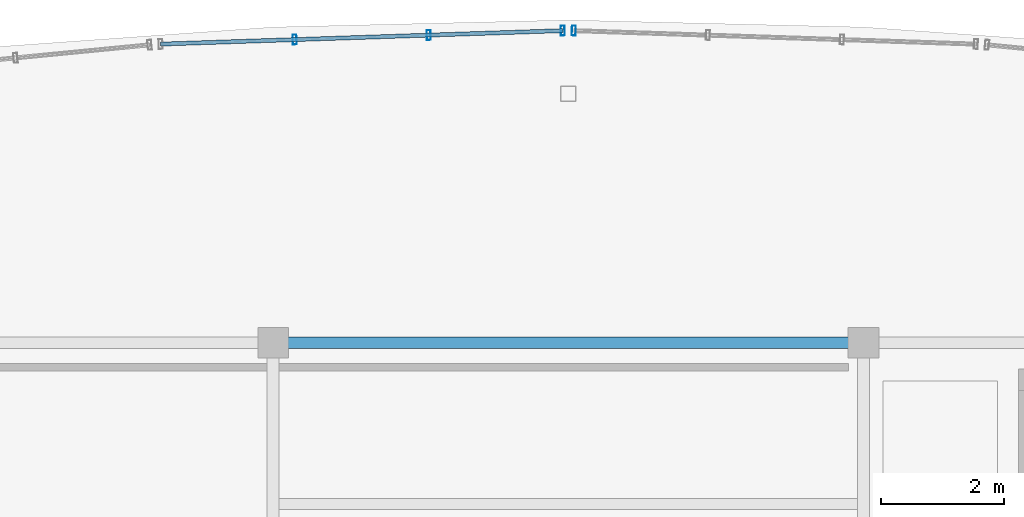
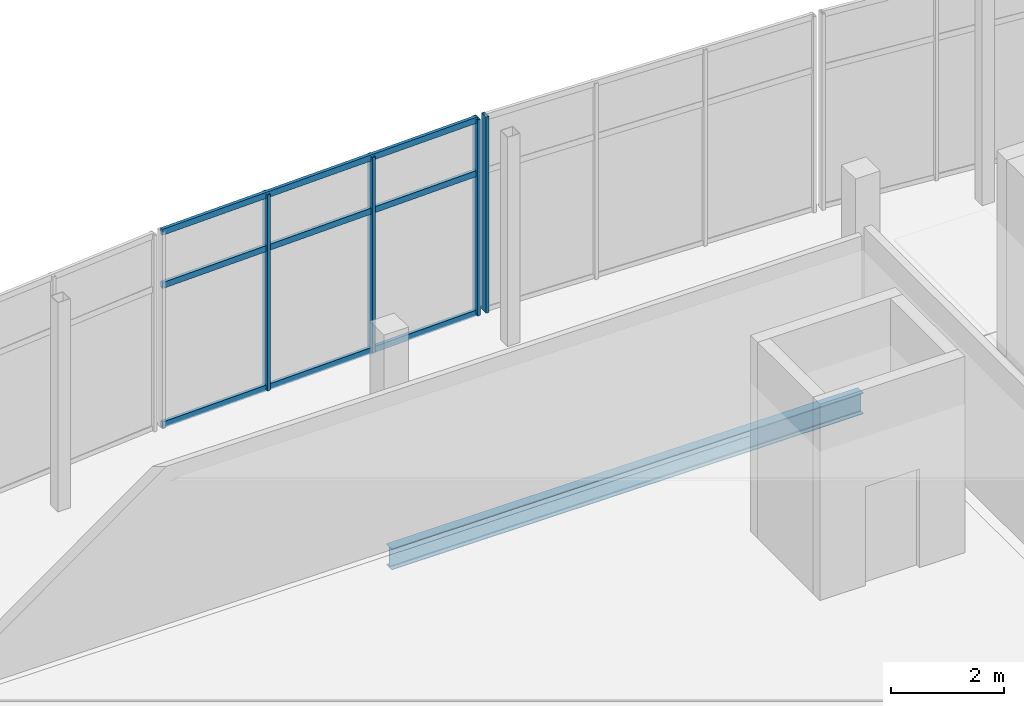
# One storey, part 71 of 114: 7 members, 1 beam, 2 elements without a shape of their own.
"""IFC4 building model written with IfcOpenShell, lengths in metres."""

from ifc_helpers import new_model, si_unit, direction, frame, origin, origin_2d, place, context, subcontext, project, spatial, hollow_rectangle, i_section, extrude, material, layer, layer_set, material_profile, profile_set, type_object, element, aggregate, save


model = new_model("IFC4")

# Units and contexts
model_context = context("Model", 3, precision=1e-05, world=origin(), true_north=direction((0.0, 1.0)))
body_context = subcontext(model_context, "Body", "Model", "MODEL_VIEW")
ifc_project = project(units=[si_unit("LENGTHUNIT", "METRE"), si_unit("AREAUNIT", "SQUARE_METRE"), si_unit("VOLUMEUNIT", "CUBIC_METRE"), si_unit("PLANEANGLEUNIT", "RADIAN"), si_unit("MASSUNIT", "GRAM", prefix="KILO")], contexts=[model_context])

# Site, building, storey
site_placement = place(None, origin())
site = spatial("IfcSite", under=ifc_project, at=site_placement, CompositionType="ELEMENT")
building_placement = place(site_placement, origin())
building = spatial("IfcBuilding", under=site, at=building_placement, Name="Chalmorin Arch Market", CompositionType="ELEMENT")
storey_placement = place(building_placement, frame((0.0, 0.0, 9.60009765625)))
storey = spatial("IfcBuildingStorey", under=building, at=storey_placement, Name="L02", CompositionType="ELEMENT", Elevation=9.60009765625)

# Curtain wall, members
ifc_material_1 = material(Name="Aluminium 6063-T6", Category="aluminium")
ifc_layer = layer(ifc_material_1, 0.159912109375)
ifc_layer_set = layer_set([ifc_layer], Name="Aluminium 6063-T6")
curtain_wall_type = type_object("IfcCurtainWallType", Name="CulinaryStudioCurtainWall-CW3-6540x4220", PredefinedType="NOTDEFINED", material=ifc_layer_set)
curtain_wall_1_placement = place(storey_placement, origin())
curtain_wall_1 = element("IfcCurtainWall", 1, at=curtain_wall_1_placement, inside=storey, type_object=curtain_wall_type, Name="CW-03-134", PredefinedType="NOTDEFINED")
ifc_material_profile_1 = material_profile(ifc_material_1, hollow_rectangle(XDim=0.06494140625, YDim=0.159912109375, WallThickness=0.00390625, at=origin_2d()), Name="ALU65X160X4")
ifc_profile_set_1 = profile_set([ifc_material_profile_1], Name="Aluminium 6063-T6")
member_type_1 = type_object("IfcMemberType", Name="CurtainWallMullion-65x160", PredefinedType="MULLION", material=ifc_profile_set_1)
member_1_placement = place(storey_placement, frame((77.14990234375, 122.930908203125, 0.0), z_axis=(0.0, 0.0, 1.0), x_axis=(0.999390827019, 0.034899496703, 0.0)))
member_1 = element("IfcMember", 2, at=member_1_placement, type_object=member_type_1, Name="ML-134-02", PredefinedType="MULLION", context=body_context, shape_type="SweptSolid", body=[
    extrude(hollow_rectangle(XDim=0.06494140625, YDim=0.159912109375, WallThickness=0.00390625, at=origin_2d()), origin(), (0.0, 0.0, 1.0), 4.219970703125),
])
member_2_placement = place(storey_placement, frame((79.330078125, 123.00390625, 0.0), z_axis=(0.0, 0.0, 1.0), x_axis=(0.999390827019, 0.034899496703, 0.0)))
member_2 = element("IfcMember", 3, at=member_2_placement, type_object=member_type_1, Name="ML-134-03", PredefinedType="MULLION", context=body_context, shape_type="SweptSolid", body=[
    extrude(hollow_rectangle(XDim=0.06494140625, YDim=0.159912109375, WallThickness=0.00390625, at=origin_2d()), origin(), (0.0, 0.0, 1.0), 4.219970703125),
])
member_3_placement = place(storey_placement, frame((81.510009765625, 123.076904296875, 0.0), z_axis=(0.0, 0.0, 1.0), x_axis=(0.999390827019, 0.034899496703, 0.0)))
member_3 = element("IfcMember", 4, at=member_3_placement, type_object=member_type_1, Name="ML-134-04", PredefinedType="MULLION", context=body_context, shape_type="SweptSolid", body=[
    extrude(hollow_rectangle(XDim=0.06494140625, YDim=0.159912109375, WallThickness=0.00390625, at=origin_2d()), origin(), (0.0, 0.0, 1.0), 4.219970703125),
])

# Curtain wall, member
curtain_wall_2_placement = place(storey_placement, origin())
curtain_wall_2 = element("IfcCurtainWall", 5, at=curtain_wall_2_placement, inside=storey, type_object=curtain_wall_type, Name="CW-03-137", PredefinedType="NOTDEFINED")
member_4_placement = place(storey_placement, frame((81.68994140625, 123.076904296875, 0.0), z_axis=(0.0, 0.0, 1.0), x_axis=(0.999390827019, -0.034899496703, 0.0)))
member_4 = element("IfcMember", 6, at=member_4_placement, type_object=member_type_1, Name="ML-137-01", PredefinedType="MULLION", context=body_context, shape_type="SweptSolid", body=[
    extrude(hollow_rectangle(XDim=0.06494140625, YDim=0.159912109375, WallThickness=0.00390625, at=origin_2d()), origin(), (0.0, 0.0, 1.0), 4.219970703125),
])
aggregate(curtain_wall_2, [member_4])

# Member
ifc_material_profile_2 = material_profile(ifc_material_1, hollow_rectangle(XDim=0.06494140625, YDim=0.1298828125, WallThickness=0.00390625, at=origin_2d()), Name="ALU65X130X4")
ifc_profile_set_2 = profile_set([ifc_material_profile_2], Name="Aluminium 6063-T6")
member_type_2 = type_object("IfcMemberType", Name="CurtainWallTransom-65x130", PredefinedType="USERDEFINED", material=ifc_profile_set_2)
member_5_placement = place(storey_placement, frame((74.969970703125, 122.85791015625, 0.034912109375), z_axis=(0.999439843627, 0.033466385685, 0.0), x_axis=(-0.033466385685, 0.999439843627, 0.0)))
member_5 = element("IfcMember", 7, at=member_5_placement, type_object=member_type_2, Name="TR-134-01", ObjectType="TRANSOM", PredefinedType="USERDEFINED", context=body_context, shape_type="SweptSolid", body=[
    extrude(hollow_rectangle(XDim=0.06494140625, YDim=0.1298828125, WallThickness=0.00390625, at=origin_2d()), origin(), (0.0, 0.0, 1.0), 6.543701171875),
])

member_6_placement = place(storey_placement, frame((74.969970703125, 122.85791015625, 3.038330078125), z_axis=(0.999439843627, 0.033466385685, 0.0), x_axis=(-0.033466385685, 0.999439843627, 0.0)))
member_6 = element("IfcMember", 8, at=member_6_placement, type_object=member_type_2, Name="TR-134-02", ObjectType="TRANSOM", PredefinedType="USERDEFINED", context=body_context, shape_type="SweptSolid", body=[
    extrude(hollow_rectangle(XDim=0.06494140625, YDim=0.1298828125, WallThickness=0.00390625, at=origin_2d()), origin(), (0.0, 0.0, 1.0), 6.543701171875),
])

member_7_placement = place(storey_placement, frame((74.969970703125, 122.85791015625, 4.184814453125), z_axis=(0.999439843627, 0.033466385685, 0.0), x_axis=(-0.033466385685, 0.999439843627, 0.0)))
member_7 = element("IfcMember", 9, at=member_7_placement, type_object=member_type_2, Name="TR-134-03", ObjectType="TRANSOM", PredefinedType="USERDEFINED", context=body_context, shape_type="SweptSolid", body=[
    extrude(hollow_rectangle(XDim=0.06494140625, YDim=0.1298828125, WallThickness=0.00390625, at=origin_2d()), origin(), (0.0, 0.0, 1.0), 6.543701171875),
])

aggregate(curtain_wall_1, [member_1, member_2, member_3, member_5, member_6, member_7])

# Beam
ifc_material_2 = material(Name="Steel A992 Grade 50", Category="steel")
ifc_material_profile_3 = material_profile(ifc_material_2, i_section(OverallWidth=0.19091796875, OverallDepth=0.45703125, WebThickness=0.009033203125, FlangeThickness=0.014404296875, FilletRadius=0.02001953125, at=origin_2d()), Name="W18X50")
ifc_profile_set_3 = profile_set([ifc_material_profile_3], Name="Steel A992 Grade 50")
beam_type = type_object("IfcBeamType", Name="PerimeterSpandrelBeam-W18X50", PredefinedType="SPANDREL", material=ifc_profile_set_3)
beam_placement = place(storey_placement, frame((76.800048828125, 118.0, -0.510498046875), z_axis=(1.0, 0.0, 0.0), x_axis=(0.0, 1.0, 0.0)))
element("IfcBeam", 10, at=beam_placement, inside=storey, type_object=beam_type, Name="SP-W18-1266", PredefinedType="SPANDREL", context=body_context, shape_type="SweptSolid", body=[
    extrude(i_section(OverallWidth=0.19091796875, OverallDepth=0.45703125, WebThickness=0.009033203125, FlangeThickness=0.014404296875, FilletRadius=0.02001953125, at=origin_2d()), origin(), (0.0, 0.0, 1.0), 9.599853515625),
])

save(model, "model.ifc")
